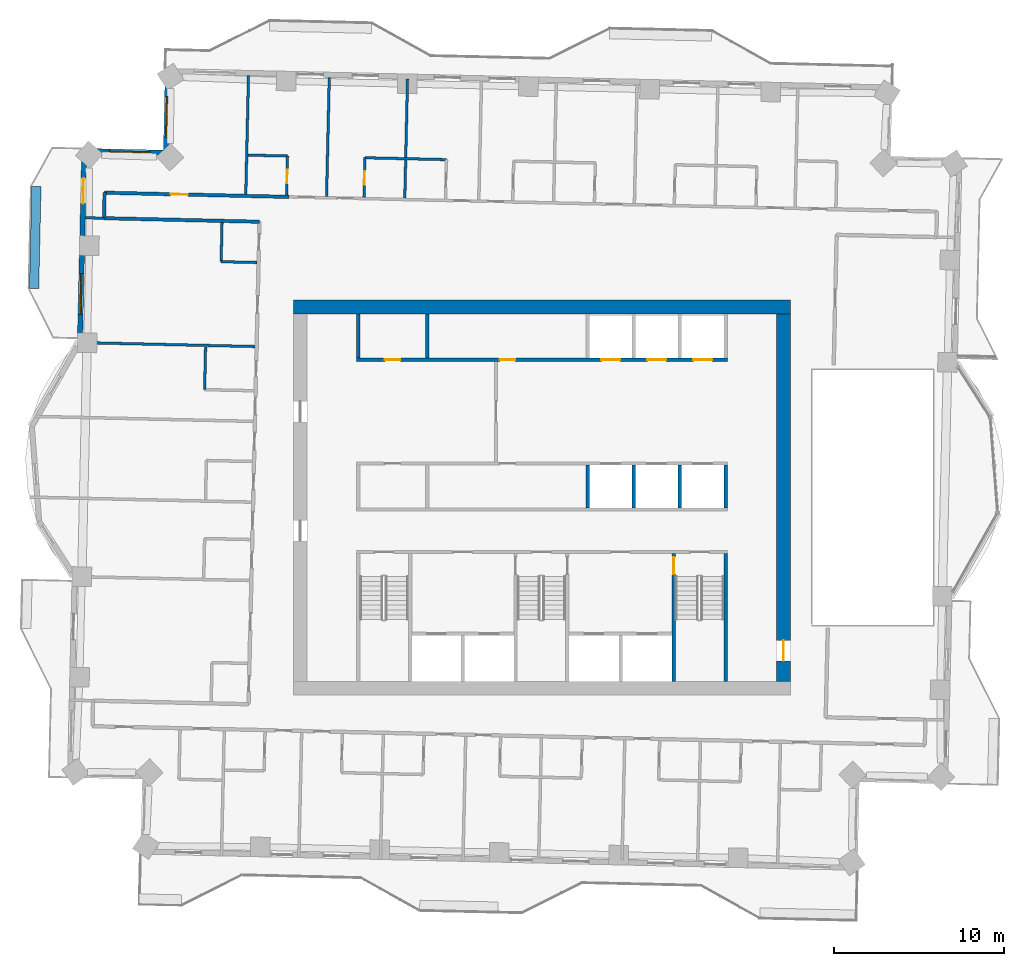
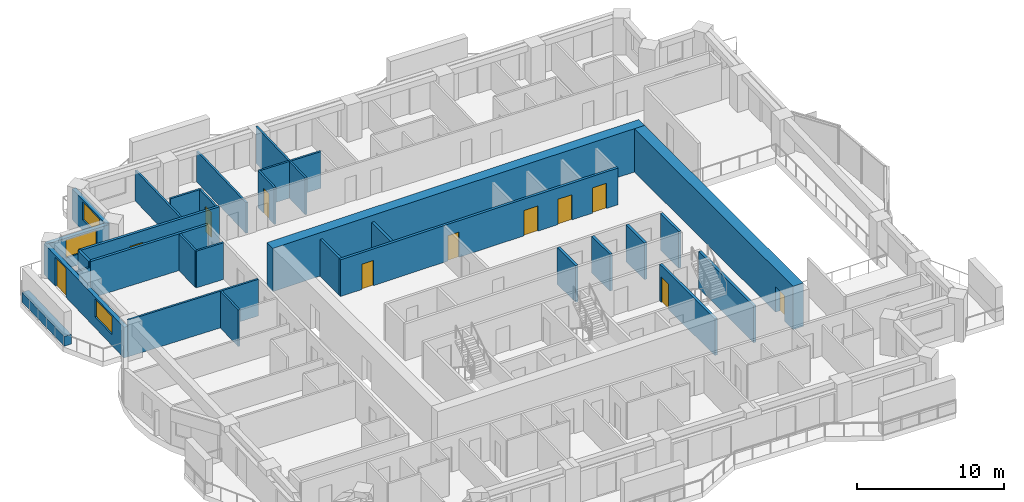
# One storey, part 10 of 16: 30 walls, 11 doors, 3 windows, 14 openings.
"""IFC4 building model written with IfcOpenShell, lengths in metres."""

from ifc_helpers import new_model, si_unit, direction, frame, frame_2d, origin, place, context, subcontext, project, spatial, rectangle, extrude, material, layer, layer_set, type_object, element, fill, save


model = new_model("IFC4")

# Units and contexts
model_context = context("Model", 3, precision=1e-05, world=origin(), true_north=direction((0.0, 1.0)))
body_context = subcontext(model_context, "Body", "Model", "MODEL_VIEW")
ifc_project = project(units=[si_unit("LENGTHUNIT", "METRE"), si_unit("AREAUNIT", "SQUARE_METRE"), si_unit("VOLUMEUNIT", "CUBIC_METRE"), si_unit("PLANEANGLEUNIT", "RADIAN"), si_unit("MASSUNIT", "GRAM", prefix="KILO")], contexts=[model_context])

# Site, building, storey
site_placement = place(None, origin())
site = spatial("IfcSite", under=ifc_project, at=site_placement, CompositionType="ELEMENT")
building_placement = place(site_placement, origin())
building = spatial("IfcBuilding", under=site, at=building_placement, Name="Mangrove Gate Tower", CompositionType="ELEMENT")
storey_placement = place(building_placement, frame((0.0, 0.0, 201.5)))
storey = spatial("IfcBuildingStorey", under=building, at=storey_placement, Name="L51", CompositionType="ELEMENT", Elevation=201.5)

# Walls
ifc_material_1 = material(Name="Concrete C32/40", Category="concrete")
ifc_layer_1 = layer(ifc_material_1, 0.199951171875)
ifc_layer_set_1 = layer_set([ifc_layer_1], Name="Core room wall 200 C32/40")
wall_type_1 = type_object("IfcWallType", Name="Core room wall 200 C32/40", PredefinedType="STANDARD", material=ifc_layer_set_1)
for number, where, z_axis, x_axis, name in (
    (1, (-10.800048828125, 8.199951171875, 0.0), (0.0, 0.0, 1.0), (0.0, 1.0, 0.0), "WALL-L51-CORE-25"),
    (2, (-6.75, 8.199951171875, 0.0), (0.0, 0.0, 1.0), (0.0, 1.0, 0.0), "WALL-L51-CORE-26"),
):
    element("IfcWall", number, at=place(storey_placement, frame(where, z_axis=z_axis, x_axis=x_axis)), inside=storey, type_object=wall_type_1, Name=name, PredefinedType="STANDARD", context=body_context, shape_type="SweptSolid", body=[
        extrude(rectangle(XDim=2.60009765625, YDim=0.199951171875, at=frame_2d((1.300048828125, 0.0))), origin(), (0.0, 0.0, 1.0), 3.050048828125),
    ])

# Wall, openings, doors
ifc_material_2 = material(Name="Concrete C60/75", Category="concrete")
ifc_layer_2 = layer(ifc_material_2, 0.199951171875)
ifc_layer_set_2 = layer_set([ifc_layer_2], Name="Core shaft wall 200 C60/75")
wall_type_2 = type_object("IfcWallType", Name="Core shaft wall 200 C60/75", PredefinedType="SHEAR", material=ifc_layer_set_2)
wall_1_placement = place(storey_placement, frame((-10.89990234375, 8.10009765625, 0.0), z_axis=(0.0, 0.0, 1.0), x_axis=(1.0, 0.0, 0.0)))
wall_1 = element("IfcWall", 3, at=wall_1_placement, inside=storey, type_object=wall_type_2, Name="WALL-L51-CORE-8", PredefinedType="SHEAR", context=body_context, shape_type="SweptSolid", body=[
    extrude(rectangle(XDim=21.7998046875, YDim=0.199951171875, at=frame_2d((10.89990234375, 0.0))), origin(), (0.0, 0.0, 1.0), 3.050048828125),
])
opening_1_placement = place(wall_1_placement, frame((14.39990234375, 0.0, 0.0)))
opening_1 = element("IfcOpeningElement", 4, at=opening_1_placement, cuts=wall_1, Name="Opening LD", PredefinedType="OPENING", context=body_context, shape_type="SweptSolid", body=[
    extrude(rectangle(XDim=1.10009765625, YDim=2.10009765625, at=frame_2d((0.550048828125, 1.050048828125))), frame((0.0, 0.10986328125, 0.0), z_axis=(0.0, -1.0, 0.0), x_axis=(1.0, 0.0, 0.0)), (0.0, 0.0, 1.0), 0.219970703125),
])
opening_2_placement = place(wall_1_placement, frame((17.10009765625, 0.0, 0.0)))
opening_2 = element("IfcOpeningElement", 5, at=opening_2_placement, cuts=wall_1, Name="Opening LD", PredefinedType="OPENING", context=body_context, shape_type="SweptSolid", body=[
    extrude(rectangle(XDim=1.10009765625, YDim=2.10009765625, at=frame_2d((0.550048828125, 1.050048828125))), frame((0.0, 0.10986328125, 0.0), z_axis=(0.0, -1.0, 0.0), x_axis=(1.0, 0.0, 0.0)), (0.0, 0.0, 1.0), 0.219970703125),
])
opening_3_placement = place(wall_1_placement, frame((19.800048828125, 0.0, 0.0)))
opening_3 = element("IfcOpeningElement", 6, at=opening_3_placement, cuts=wall_1, Name="Opening LD", PredefinedType="OPENING", context=body_context, shape_type="SweptSolid", body=[
    extrude(rectangle(XDim=1.10009765625, YDim=2.10009765625, at=frame_2d((0.550048828125, 1.050048828125))), frame((0.0, 0.10986328125, 0.0), z_axis=(0.0, -1.0, 0.0), x_axis=(1.0, 0.0, 0.0)), (0.0, 0.0, 1.0), 0.219970703125),
])
opening_4_placement = place(wall_1_placement, frame((1.675048828125, 0.0, 0.0)))
opening_4 = element("IfcOpeningElement", 7, at=opening_4_placement, cuts=wall_1, Name="Opening KD", PredefinedType="OPENING", context=body_context, shape_type="SweptSolid", body=[
    extrude(rectangle(XDim=0.89990234375, YDim=2.10009765625, at=frame_2d((0.449951171875, 1.050048828125))), frame((0.0, 0.10986328125, 0.0), z_axis=(0.0, -1.0, 0.0), x_axis=(1.0, 0.0, 0.0)), (0.0, 0.0, 1.0), 0.219970703125),
])
opening_5_placement = place(wall_1_placement, frame((8.425048828125, 0.0, 0.0)))
opening_5 = element("IfcOpeningElement", 8, at=opening_5_placement, cuts=wall_1, Name="Opening RD", PredefinedType="OPENING", context=body_context, shape_type="SweptSolid", body=[
    extrude(rectangle(XDim=0.89990234375, YDim=2.10009765625, at=frame_2d((0.449951171875, 1.050048828125))), frame((0.0, 0.10986328125, 0.0), z_axis=(0.0, -1.0, 0.0), x_axis=(1.0, 0.0, 0.0)), (0.0, 0.0, 1.0), 0.219970703125),
])
ifc_material_3 = material(Name="Fire-rated steel door set", Category="steel")
door_type_1 = type_object("IfcDoorType", Name="Core room door FD30S 900x2100", OperationType="SINGLE_SWING_RIGHT", PredefinedType="DOOR", material=ifc_material_3)
door_1_placement = place(opening_4_placement, origin())
door_1 = element("IfcDoor", 9, at=door_1_placement, inside=storey, type_object=door_type_1, Name="Core room door Linen store", OperationType="SINGLE_SWING_RIGHT", OverallHeight=2.10009765625, OverallWidth=0.89990234375, PredefinedType="DOOR", context=body_context, shape_type="SweptSolid", body=[
    extrude(rectangle(XDim=0.89990234375, YDim=2.10009765625, at=frame_2d((0.449951171875, 1.050048828125))), frame((0.0, 0.02490234375, 0.0), z_axis=(0.0, -1.0, 0.0), x_axis=(1.0, 0.0, 0.0)), (0.0, 0.0, 1.0), 0.050048828125),
])
fill(opening_4, door_1)
ifc_material_4 = material(Name="Stainless steel 316", Category="steel")
door_type_2 = type_object("IfcDoorType", Name="Lift landing door 1100x2100", OperationType="SLIDING_TO_LEFT", PredefinedType="DOOR", material=ifc_material_4)
door_2_placement = place(opening_1_placement, origin())
door_2 = element("IfcDoor", 10, at=door_2_placement, inside=storey, type_object=door_type_2, Name="Landing door LD M04", OperationType="SLIDING_TO_LEFT", OverallHeight=2.10009765625, OverallWidth=1.10009765625, PredefinedType="DOOR", context=body_context, shape_type="SweptSolid", body=[
    extrude(rectangle(XDim=1.10009765625, YDim=2.10009765625, at=frame_2d((0.550048828125, 1.050048828125))), frame((0.0, 0.02490234375, 0.0), z_axis=(0.0, -1.0, 0.0), x_axis=(1.0, 0.0, 0.0)), (0.0, 0.0, 1.0), 0.050048828125),
])
fill(opening_1, door_2)
door_3_placement = place(opening_2_placement, origin())
door_3 = element("IfcDoor", 11, at=door_3_placement, inside=storey, type_object=door_type_2, Name="Landing door LD M05", OperationType="SLIDING_TO_LEFT", OverallHeight=2.10009765625, OverallWidth=1.10009765625, PredefinedType="DOOR", context=body_context, shape_type="SweptSolid", body=[
    extrude(rectangle(XDim=1.10009765625, YDim=2.10009765625, at=frame_2d((0.550048828125, 1.050048828125))), frame((0.0, 0.02490234375, 0.0), z_axis=(0.0, -1.0, 0.0), x_axis=(1.0, 0.0, 0.0)), (0.0, 0.0, 1.0), 0.050048828125),
])
fill(opening_2, door_3)
door_4_placement = place(opening_3_placement, origin())
door_4 = element("IfcDoor", 12, at=door_4_placement, inside=storey, type_object=door_type_2, Name="Landing door LD M06", OperationType="SLIDING_TO_LEFT", OverallHeight=2.10009765625, OverallWidth=1.10009765625, PredefinedType="DOOR", context=body_context, shape_type="SweptSolid", body=[
    extrude(rectangle(XDim=1.10009765625, YDim=2.10009765625, at=frame_2d((0.550048828125, 1.050048828125))), frame((0.0, 0.02490234375, 0.0), z_axis=(0.0, -1.0, 0.0), x_axis=(1.0, 0.0, 0.0)), (0.0, 0.0, 1.0), 0.050048828125),
])
fill(opening_3, door_4)
ifc_material_5 = material(Name="Fire-rated steel door set", Category="steel")
door_type_3 = type_object("IfcDoorType", Name="Riser door FD30S 900x2100", OperationType="SINGLE_SWING_LEFT", PredefinedType="DOOR", material=ifc_material_5)
door_5_placement = place(opening_5_placement, origin())
door_5 = element("IfcDoor", 13, at=door_5_placement, inside=storey, type_object=door_type_3, Name="Riser door Switch room", OperationType="SINGLE_SWING_LEFT", OverallHeight=2.10009765625, OverallWidth=0.89990234375, PredefinedType="DOOR", context=body_context, shape_type="SweptSolid", body=[
    extrude(rectangle(XDim=0.89990234375, YDim=2.10009765625, at=frame_2d((0.449951171875, 1.050048828125))), frame((0.0, 0.02490234375, 0.0), z_axis=(0.0, -1.0, 0.0), x_axis=(1.0, 0.0, 0.0)), (0.0, 0.0, 1.0), 0.050048828125),
])
fill(opening_5, door_5)

# Walls
for number, where, z_axis, x_axis, name in (
    (14, (2.699951171875, -0.60009765625, 0.0), (0.0, 0.0, 1.0), (0.0, 1.0, 0.0), "WALL-L51-CORE-21"),
    (15, (5.39990234375, -0.60009765625, 0.0), (0.0, 0.0, 1.0), (0.0, 1.0, 0.0), "WALL-L51-CORE-22"),
    (16, (8.10009765625, -0.60009765625, 0.0), (0.0, 0.0, 1.0), (0.0, 1.0, 0.0), "WALL-L51-CORE-23"),
    (17, (10.800048828125, -0.60009765625, 0.0), (0.0, 0.0, 1.0), (0.0, 1.0, 0.0), "WALL-L51-CORE-24"),
):
    element("IfcWall", number, at=place(storey_placement, frame(where, z_axis=z_axis, x_axis=x_axis)), inside=storey, type_object=wall_type_2, Name=name, PredefinedType="SHEAR", context=body_context, shape_type="SweptSolid", body=[
        extrude(rectangle(XDim=2.5, YDim=0.199951171875, at=frame_2d((1.25, 0.0))), origin(), (0.0, 0.0, 1.0), 3.050048828125),
    ])

# Wall, opening, door
ifc_material_6 = material(Name="Concrete C60/75", Category="concrete")
ifc_layer_3 = layer(ifc_material_6, 0.199951171875)
ifc_layer_set_3 = layer_set([ifc_layer_3], Name="Core stair wall 200 C60/75")
wall_type_3 = type_object("IfcWallType", Name="Core stair wall 200 C60/75", PredefinedType="SHEAR", material=ifc_layer_set_3)
wall_2_placement = place(storey_placement, frame((7.75, -10.800048828125, 0.0), z_axis=(0.0, 0.0, 1.0), x_axis=(0.0, 1.0, 0.0)))
wall_2 = element("IfcWall", 18, at=wall_2_placement, inside=storey, type_object=wall_type_3, Name="WALL-L51-CORE-13", PredefinedType="SHEAR", context=body_context, shape_type="SweptSolid", body=[
    extrude(rectangle(XDim=7.5, YDim=0.199951171875, at=frame_2d((3.75, 0.0))), origin(), (0.0, 0.0, 1.0), 3.050048828125),
])
opening_6_placement = place(wall_2_placement, frame((6.300048828125, 0.0, 0.0)))
opening_6 = element("IfcOpeningElement", 19, at=opening_6_placement, cuts=wall_2, Name="Opening STD10", PredefinedType="OPENING", context=body_context, shape_type="SweptSolid", body=[
    extrude(rectangle(XDim=1.0, YDim=2.10009765625, at=frame_2d((0.5, 1.050048828125))), frame((0.0, 0.10986328125, 0.0), z_axis=(0.0, -1.0, 0.0), x_axis=(1.0, 0.0, 0.0)), (0.0, 0.0, 1.0), 0.219970703125),
])
ifc_material_7 = material(Name="Fire-rated steel door set", Category="steel")
door_type_4 = type_object("IfcDoorType", Name="Stair door FD60 1000x2100", OperationType="SINGLE_SWING_RIGHT", PredefinedType="DOOR", material=ifc_material_7)
door_6_placement = place(opening_6_placement, origin())
door_6 = element("IfcDoor", 20, at=door_6_placement, inside=storey, type_object=door_type_4, Name="Stair door Stair 3 from fire-fighting lobby", OperationType="SINGLE_SWING_RIGHT", OverallHeight=2.10009765625, OverallWidth=1.0, PredefinedType="DOOR", context=body_context, shape_type="SweptSolid", body=[
    extrude(rectangle(XDim=1.0, YDim=2.10009765625, at=frame_2d((0.5, 1.050048828125))), frame((0.0, 0.02490234375, 0.0), z_axis=(0.0, -1.0, 0.0), x_axis=(1.0, 0.0, 0.0)), (0.0, 0.0, 1.0), 0.050048828125),
])
fill(opening_6, door_6)

# Walls
wall_3_placement = place(storey_placement, frame((10.800048828125, -10.800048828125, 0.0), z_axis=(0.0, 0.0, 1.0), x_axis=(0.0, 1.0, 0.0)))
element("IfcWall", 21, at=wall_3_placement, inside=storey, type_object=wall_type_3, Name="WALL-L51-CORE-14", PredefinedType="SHEAR", context=body_context, shape_type="SweptSolid", body=[
    extrude(rectangle(XDim=7.5, YDim=0.199951171875, at=frame_2d((3.75, 0.0))), origin(), (0.0, 0.0, 1.0), 3.050048828125),
])
ifc_material_8 = material(Name="Concrete C60/75", Category="concrete")
ifc_layer_4 = layer(ifc_material_8, 0.800048828125)
ifc_layer_set_4 = layer_set([ifc_layer_4], Name="Core wall 800 C60/75")
wall_type_4 = type_object("IfcWallType", Name="Core wall 800 C60/75", PredefinedType="SHEAR", material=ifc_layer_set_4)
wall_4_placement = place(storey_placement, frame((-14.60009765625, 11.199951171875, 0.0), z_axis=(0.0, 0.0, 1.0), x_axis=(1.0, 0.0, 0.0)))
element("IfcWall", 22, at=wall_4_placement, inside=storey, type_object=wall_type_4, Name="WALL-L51-CORE-2", PredefinedType="SHEAR", context=body_context, shape_type="SweptSolid", body=[
    extrude(rectangle(XDim=29.2001953125, YDim=0.800048828125, at=frame_2d((14.60009765625, 0.0))), origin(), (0.0, 0.0, 1.0), 3.60009765625),
])

# Wall, opening, door
wall_5_placement = place(storey_placement, frame((14.199951171875, -10.800048828125, 0.0), z_axis=(0.0, 0.0, 1.0), x_axis=(0.0, 1.0, 0.0)))
wall_5 = element("IfcWall", 23, at=wall_5_placement, inside=storey, type_object=wall_type_4, Name="WALL-L51-CORE-4", PredefinedType="SHEAR", context=body_context, shape_type="SweptSolid", body=[
    extrude(rectangle(XDim=21.60009765625, YDim=0.800048828125, at=frame_2d((10.800048828125, 0.0))), origin(), (0.0, 0.0, 1.0), 3.60009765625),
])
opening_7_placement = place(wall_5_placement, frame((1.199951171875, 0.0, 0.0)))
opening_7 = element("IfcOpeningElement", 24, at=opening_7_placement, cuts=wall_5, Name="Opening CD", PredefinedType="OPENING", context=body_context, shape_type="SweptSolid", body=[
    extrude(rectangle(XDim=1.199951171875, YDim=2.10009765625, at=frame_2d((0.60009765625, 1.050048828125))), frame((0.0, 0.409912109375, 0.0), z_axis=(0.0, -1.0, 0.0), x_axis=(1.0, 0.0, 0.0)), (0.0, 0.0, 1.0), 0.820068359375),
])
ifc_material_9 = material(Name="Fire-rated steel door set", Category="steel")
door_type_5 = type_object("IfcDoorType", Name="Core ring door FD60 1200x2100", OperationType="DOUBLE_DOOR_SINGLE_SWING", PredefinedType="DOOR", material=ifc_material_9)
door_7_placement = place(opening_7_placement, origin())
door_7 = element("IfcDoor", 25, at=door_7_placement, inside=storey, type_object=door_type_5, Name="Core ring door E1", OperationType="DOUBLE_DOOR_SINGLE_SWING", OverallHeight=2.10009765625, OverallWidth=1.199951171875, PredefinedType="DOOR", context=body_context, shape_type="SweptSolid", body=[
    extrude(rectangle(XDim=1.199951171875, YDim=2.10009765625, at=frame_2d((0.60009765625, 1.050048828125))), frame((0.0, 0.02490234375, 0.0), z_axis=(0.0, -1.0, 0.0), x_axis=(1.0, 0.0, 0.0)), (0.0, 0.0, 1.0), 0.050048828125),
])
fill(opening_7, door_7)

# Walls
ifc_material_10 = material(Name="Gypsum board on steel stud, EI 60", Category="steel")
ifc_layer_5 = layer(ifc_material_10, 0.199951171875)
ifc_layer_set_5 = layer_set([ifc_layer_5], Name="Corridor wall EI 60")
wall_type_5 = type_object("IfcWallType", Name="Corridor wall EI 60", PredefinedType="PARTITIONING", material=ifc_layer_set_5)
wall_6_placement = place(storey_placement, frame((-25.742919921875, 16.422119140625, 0.0), z_axis=(0.0, 0.0, 1.0), x_axis=(0.999741076645, -0.022754772455, 0.0)))
element("IfcWall", 26, at=wall_6_placement, inside=storey, type_object=wall_type_5, Name="WALL-L51-049", PredefinedType="PARTITIONING", context=body_context, shape_type="SweptSolid", body=[
    extrude(rectangle(XDim=9.141357421875, YDim=0.199951171875, at=frame_2d((4.57080078125, 0.0))), origin(), (0.0, 0.0, 1.0), 3.050048828125),
])
wall_7_placement = place(storey_placement, frame((-25.740966796875, 16.425048828125, 0.0), z_axis=(0.0, 0.0, 1.0), x_axis=(0.022617910375, 0.999744182344, 0.0)))
element("IfcWall", 27, at=wall_7_placement, inside=storey, type_object=wall_type_5, Name="WALL-L51-052", PredefinedType="PARTITIONING", context=body_context, shape_type="SweptSolid", body=[
    extrude(rectangle(XDim=1.50048828125, YDim=0.199951171875, at=frame_2d((0.750244140625, 0.0))), origin(), (0.0, 0.0, 1.0), 3.050048828125),
])

# Wall, opening, door
wall_8_placement = place(storey_placement, frame((-25.708984375, 17.9208984375, 0.0), z_axis=(0.0, 0.0, 1.0), x_axis=(0.999742764922, -0.022680475901, 0.0)))
wall_8 = element("IfcWall", 28, at=wall_8_placement, inside=storey, type_object=wall_type_5, Name="WALL-L51-054", PredefinedType="PARTITIONING", context=body_context, shape_type="SweptSolid", body=[
    extrude(rectangle(XDim=10.839599609375, YDim=0.199951171875, at=frame_2d((5.419921875, 0.0))), origin(), (0.0, 0.0, 1.0), 3.050048828125),
])
opening_8_placement = place(wall_8_placement, frame((3.89306640625, 0.0, 0.0)))
opening_8 = element("IfcOpeningElement", 29, at=opening_8_placement, cuts=wall_8, Name="Opening AD", PredefinedType="OPENING", context=body_context, shape_type="SweptSolid", body=[
    extrude(rectangle(XDim=1.0, YDim=2.10009765625, at=frame_2d((0.5, 1.050048828125))), frame((0.0, 0.10986328125, 0.0), z_axis=(0.0, -1.0, 0.0), x_axis=(1.0, 0.0, 0.0)), (0.0, 0.0, 1.0), 0.219970703125),
])
ifc_material_11 = material(Name="Timber door leaf", Category="wood")
door_type_6 = type_object("IfcDoorType", Name="Amenity door 1000", OperationType="SINGLE_SWING_LEFT", PredefinedType="DOOR", material=ifc_material_11)
door_8_placement = place(opening_8_placement, origin())
door_8 = element("IfcDoor", 30, at=door_8_placement, inside=storey, type_object=door_type_6, Name="DOOR-L51-GAM-c5a", OperationType="SINGLE_SWING_RIGHT", OverallHeight=2.10009765625, OverallWidth=1.0, PredefinedType="DOOR", context=body_context, shape_type="SweptSolid", body=[
    extrude(rectangle(XDim=1.0, YDim=2.10009765625, at=frame_2d((0.5, 1.050048828125))), frame((0.0, 0.02490234375, 0.0), z_axis=(0.0, -1.0, 0.0), x_axis=(1.0, 0.0, 0.0)), (0.0, 0.0, 1.0), 0.050048828125),
])
fill(opening_8, door_8)

# Wall, opening, window
ifc_material_12 = material(Name="Limestone", Category="masonry")
ifc_layer_6 = layer(ifc_material_12, 0.0400390625, Name="Limestone cladding")
ifc_material_13 = material(Name="Ventilated air gap")
ifc_layer_7 = layer(ifc_material_13, 0.0400390625, Name="Ventilated cavity")
ifc_material_14 = material(Name="Mineral wool insulation")
ifc_layer_8 = layer(ifc_material_14, 0.06005859375, Name="Insulation")
ifc_material_15 = material(Name="Breather membrane")
ifc_layer_9 = layer(ifc_material_15, 0.001953125, Name="Breather membrane")
ifc_material_16 = material(Name="Concrete C20/25 blockwork", Category="masonry")
ifc_layer_10 = layer(ifc_material_16, 0.14990234375, Name="Blockwork backing wall")
ifc_material_17 = material(Name="Gypsum plaster")
ifc_layer_11 = layer(ifc_material_17, 0.008056640625, Name="Internal plaster")
ifc_layer_set_6 = layer_set([ifc_layer_6, ifc_layer_7, ifc_layer_8, ifc_layer_9, ifc_layer_10, ifc_layer_11], Name="External wall 300 limestone cladding")
wall_type_6 = type_object("IfcWallType", Name="External wall 300 limestone cladding", PredefinedType="SOLIDWALL", material=ifc_layer_set_6)
wall_9_placement = place(storey_placement, frame((-21.99609375, 25.069091796875, 0.0), z_axis=(0.0, 0.0, 1.0), x_axis=(-0.022683280499, -0.999742701292, 0.0)))
wall_9 = element("IfcWall", 31, at=wall_9_placement, inside=storey, type_object=wall_type_6, Name="WALL-L51-W6", PredefinedType="SOLIDWALL", context=body_context, shape_type="SweptSolid", body=[
    extrude(rectangle(XDim=4.80029296875, YDim=0.300048828125, at=frame_2d((2.400146484375, 0.0))), origin(), (0.0, 0.0, 1.0), 2.550048828125),
])
opening_9_placement = place(wall_9_placement, frame((1.48388671875, 0.0, 0.89990234375)))
opening_9 = element("IfcOpeningElement", 32, at=opening_9_placement, cuts=wall_9, Name="Opening W2", PredefinedType="OPENING", context=body_context, shape_type="SweptSolid", body=[
    extrude(rectangle(XDim=2.39990234375, YDim=1.5, at=frame_2d((1.199951171875, 0.75))), frame((0.0, 0.159912109375, 0.0), z_axis=(0.0, -1.0, 0.0), x_axis=(1.0, 0.0, 0.0)), (0.0, 0.0, 1.0), 0.320068359375),
])
ifc_material_18 = material(Name="Aluminium frame with double-glazed low-e glass", Category="aluminium")
window_type = type_object("IfcWindowType", Name="Corner room window 2400x1500", PartitioningType="DOUBLE_PANEL_VERTICAL", PredefinedType="WINDOW", material=ifc_material_18)
window_1_placement = place(opening_9_placement, origin())
window_1 = element("IfcWindow", 33, at=window_1_placement, inside=storey, type_object=window_type, Name="WIN-L51-W6-1", OverallHeight=1.5, OverallWidth=2.39990234375, PartitioningType="DOUBLE_PANEL_VERTICAL", PredefinedType="WINDOW", context=body_context, shape_type="SweptSolid", body=[
    extrude(rectangle(XDim=2.39990234375, YDim=1.5, at=frame_2d((1.199951171875, 0.75))), frame((0.0, 0.030029296875, 0.0), z_axis=(0.0, -1.0, 0.0), x_axis=(1.0, 0.0, 0.0)), (0.0, 0.0, 1.0), 0.06005859375),
])
fill(opening_9, window_1)

wall_10_placement = place(storey_placement, frame((-22.10498046875, 20.27001953125, 0.0), z_axis=(0.0, 0.0, 1.0), x_axis=(-0.999742701292, 0.022683280499, 0.0)))
wall_10 = element("IfcWall", 34, at=wall_10_placement, inside=storey, type_object=wall_type_6, Name="WALL-L51-N7", PredefinedType="SOLIDWALL", context=body_context, shape_type="SweptSolid", body=[
    extrude(rectangle(XDim=4.80029296875, YDim=0.300048828125, at=frame_2d((2.400146484375, 0.0))), origin(), (0.0, 0.0, 1.0), 2.550048828125),
])
opening_10_placement = place(wall_10_placement, frame((0.927978515625, 0.0, 0.89990234375)))
opening_10 = element("IfcOpeningElement", 35, at=opening_10_placement, cuts=wall_10, Name="Opening W2", PredefinedType="OPENING", context=body_context, shape_type="SweptSolid", body=[
    extrude(rectangle(XDim=2.39990234375, YDim=1.5, at=frame_2d((1.199951171875, 0.75))), frame((0.0, 0.159912109375, 0.0), z_axis=(0.0, -1.0, 0.0), x_axis=(1.0, 0.0, 0.0)), (0.0, 0.0, 1.0), 0.320068359375),
])
window_2_placement = place(opening_10_placement, origin())
window_2 = element("IfcWindow", 36, at=window_2_placement, inside=storey, type_object=window_type, Name="WIN-L51-N7-1", OverallHeight=1.5, OverallWidth=2.39990234375, PartitioningType="DOUBLE_PANEL_VERTICAL", PredefinedType="WINDOW", context=body_context, shape_type="SweptSolid", body=[
    extrude(rectangle(XDim=2.39990234375, YDim=1.5, at=frame_2d((1.199951171875, 0.75))), frame((0.0, 0.030029296875, 0.0), z_axis=(0.0, -1.0, 0.0), x_axis=(1.0, 0.0, 0.0)), (0.0, 0.0, 1.0), 0.06005859375),
])
fill(opening_10, window_2)

# Wall, openings, door, window
wall_11_placement = place(storey_placement, frame((-26.904052734375, 20.37890625, 0.0), z_axis=(0.0, 0.0, 1.0), x_axis=(-0.022669030322, -0.999743024514, 0.0)))
wall_11 = element("IfcWall", 37, at=wall_11_placement, inside=storey, type_object=wall_type_6, Name="WALL-L51-W8", PredefinedType="SOLIDWALL", context=body_context, shape_type="SweptSolid", body=[
    extrude(rectangle(XDim=11.329833984375, YDim=0.300048828125, at=frame_2d((5.6650390625, 0.0))), origin(), (0.0, 0.0, 1.0), 2.550048828125),
])
opening_11_placement = place(wall_11_placement, frame((1.60302734375, 0.0, 0.0)))
opening_11 = element("IfcOpeningElement", 38, at=opening_11_placement, cuts=wall_11, Name="Opening BD1", PredefinedType="OPENING", context=body_context, shape_type="SweptSolid", body=[
    extrude(rectangle(XDim=1.5, YDim=2.39990234375, at=frame_2d((0.75, 1.199951171875))), frame((0.0, 0.159912109375, 0.0), z_axis=(0.0, -1.0, 0.0), x_axis=(1.0, 0.0, 0.0)), (0.0, 0.0, 1.0), 0.320068359375),
])
opening_12_placement = place(wall_11_placement, frame((7.218017578125, 0.0, 0.89990234375)))
opening_12 = element("IfcOpeningElement", 39, at=opening_12_placement, cuts=wall_11, Name="Opening W2", PredefinedType="OPENING", context=body_context, shape_type="SweptSolid", body=[
    extrude(rectangle(XDim=2.39990234375, YDim=1.5, at=frame_2d((1.199951171875, 0.75))), frame((0.0, 0.159912109375, 0.0), z_axis=(0.0, -1.0, 0.0), x_axis=(1.0, 0.0, 0.0)), (0.0, 0.0, 1.0), 0.320068359375),
])
ifc_material_19 = material(Name="Aluminium frame with laminated clear glass", Category="aluminium")
door_type_7 = type_object("IfcDoorType", Name="Balcony sliding door 1500x2400", OperationType="SLIDING_TO_LEFT", PredefinedType="DOOR", material=ifc_material_19)
door_9_placement = place(opening_11_placement, origin())
door_9 = element("IfcDoor", 40, at=door_9_placement, inside=storey, type_object=door_type_7, Name="DOOR-L51-W8-1", OperationType="SLIDING_TO_LEFT", OverallHeight=2.39990234375, OverallWidth=1.5, PredefinedType="DOOR", context=body_context, shape_type="SweptSolid", body=[
    extrude(rectangle(XDim=1.5, YDim=2.39990234375, at=frame_2d((0.75, 1.199951171875))), frame((0.0, 0.02490234375, 0.0), z_axis=(0.0, -1.0, 0.0), x_axis=(1.0, 0.0, 0.0)), (0.0, 0.0, 1.0), 0.050048828125),
])
fill(opening_11, door_9)
window_3_placement = place(opening_12_placement, origin())
window_3 = element("IfcWindow", 41, at=window_3_placement, inside=storey, type_object=window_type, Name="WIN-L51-W8-2", OverallHeight=1.5, OverallWidth=2.39990234375, PartitioningType="DOUBLE_PANEL_VERTICAL", PredefinedType="WINDOW", context=body_context, shape_type="SweptSolid", body=[
    extrude(rectangle(XDim=2.39990234375, YDim=1.5, at=frame_2d((1.199951171875, 0.75))), frame((0.0, 0.030029296875, 0.0), z_axis=(0.0, -1.0, 0.0), x_axis=(1.0, 0.0, 0.0)), (0.0, 0.0, 1.0), 0.06005859375),
])
fill(opening_12, window_3)

# Walls
ifc_material_20 = material(Name="Gypsum board on steel stud, EI 60", Category="steel")
ifc_layer_12 = layer(ifc_material_20, 0.14990234375)
ifc_layer_set_7 = layer_set([ifc_layer_12], Name="Party wall 150 EI 60")
wall_type_7 = type_object("IfcWallType", Name="Party wall 150 EI 60", PredefinedType="PARTITIONING", material=ifc_layer_set_7)
wall_12_placement = place(storey_placement, frame((-19.827880859375, 6.340087890625, 0.0), z_axis=(0.0, 0.0, 1.0), x_axis=(0.022532486354, 0.9997461113, 0.0)))
element("IfcWall", 42, at=wall_12_placement, inside=storey, type_object=wall_type_7, Name="WALL-L51-042", PredefinedType="PARTITIONING", context=body_context, shape_type="SweptSolid", body=[
    extrude(rectangle(XDim=2.524658203125, YDim=0.14990234375, at=frame_2d((1.26220703125, 0.0))), origin(), (0.0, 0.0, 1.0), 3.050048828125),
])
wall_13_placement = place(storey_placement, frame((-27.010009765625, 9.10791015625, 0.0), z_axis=(0.0, 0.0, 1.0), x_axis=(0.999742841246, -0.022677111331, 0.0)))
element("IfcWall", 43, at=wall_13_placement, inside=storey, type_object=wall_type_7, Name="WALL-L51-045", PredefinedType="PARTITIONING", context=body_context, shape_type="SweptSolid", body=[
    extrude(rectangle(XDim=10.1416015625, YDim=0.14990234375, at=frame_2d((5.07080078125, 0.0))), origin(), (0.0, 0.0, 1.0), 3.050048828125),
])
wall_14_placement = place(storey_placement, frame((-18.85791015625, 13.864990234375, 0.0), z_axis=(0.0, 0.0, 1.0), x_axis=(0.999737555419, -0.022908956429, 0.0)))
element("IfcWall", 44, at=wall_14_placement, inside=storey, type_object=wall_type_7, Name="WALL-L51-046", PredefinedType="PARTITIONING", context=body_context, shape_type="SweptSolid", body=[
    extrude(rectangle(XDim=2.099365234375, YDim=0.14990234375, at=frame_2d((1.0498046875, 0.0))), origin(), (0.0, 0.0, 1.0), 3.050048828125),
])
wall_15_placement = place(storey_placement, frame((-18.85693359375, 13.868896484375, 0.0), z_axis=(0.0, 0.0, 1.0), x_axis=(0.022612884682, 0.999744296031, 0.0)))
element("IfcWall", 45, at=wall_15_placement, inside=storey, type_object=wall_type_7, Name="WALL-L51-047", PredefinedType="PARTITIONING", context=body_context, shape_type="SweptSolid", body=[
    extrude(rectangle(XDim=2.299560546875, YDim=0.14990234375, at=frame_2d((1.14990234375, 0.0))), origin(), (0.0, 0.0, 1.0), 3.050048828125),
])
wall_16_placement = place(storey_placement, frame((-26.843017578125, 16.447021484375, 0.0), z_axis=(0.0, 0.0, 1.0), x_axis=(0.999720170098, -0.023655475055, 0.0)))
element("IfcWall", 46, at=wall_16_placement, inside=storey, type_object=wall_type_7, Name="WALL-L51-048", PredefinedType="PARTITIONING", context=body_context, shape_type="SweptSolid", body=[
    extrude(rectangle(XDim=1.104248046875, YDim=0.14990234375, at=frame_2d((0.55224609375, 0.0))), origin(), (0.0, 0.0, 1.0), 2.550048828125),
])
wall_17_placement = place(storey_placement, frame((-17.406982421875, 17.8369140625, 0.0), z_axis=(0.0, 0.0, 1.0), x_axis=(0.022643496158, 0.999743603171, 0.0)))
element("IfcWall", 47, at=wall_17_placement, inside=storey, type_object=wall_type_7, Name="WALL-L51-057", PredefinedType="PARTITIONING", context=body_context, shape_type="SweptSolid", body=[
    extrude(rectangle(XDim=6.975830078125, YDim=0.14990234375, at=frame_2d((3.48779296875, 0.0))), origin(), (0.0, 0.0, 1.0), 2.550048828125),
])

# Wall, opening, door
wall_18_placement = place(storey_placement, frame((-15.007080078125, 17.781982421875, 0.0), z_axis=(0.0, 0.0, 1.0), x_axis=(0.022603288534, 0.999744513037, 0.0)))
wall_18 = element("IfcWall", 48, at=wall_18_placement, inside=storey, type_object=wall_type_7, Name="WALL-L51-058", PredefinedType="PARTITIONING", context=body_context, shape_type="SweptSolid", body=[
    extrude(rectangle(XDim=2.300537109375, YDim=0.14990234375, at=frame_2d((1.150390625, 0.0))), origin(), (0.0, 0.0, 1.0), 3.050048828125),
])
opening_13_placement = place(wall_18_placement, frame((0.699951171875, 0.0, 0.0)))
opening_13 = element("IfcOpeningElement", 49, at=opening_13_placement, cuts=wall_18, Name="Opening ED", PredefinedType="OPENING", context=body_context, shape_type="SweptSolid", body=[
    extrude(rectangle(XDim=0.800048828125, YDim=2.10009765625, at=frame_2d((0.39990234375, 1.050048828125))), frame((0.0, 0.0849609375, 0.0), z_axis=(0.0, -1.0, 0.0), x_axis=(1.0, 0.0, 0.0)), (0.0, 0.0, 1.0), 0.169921875),
])
ifc_material_21 = material(Name="Timber door leaf", Category="wood")
door_type_8 = type_object("IfcDoorType", Name="En-suite door 800", OperationType="SINGLE_SWING_LEFT", PredefinedType="DOOR", material=ifc_material_21)
door_10_placement = place(opening_13_placement, origin())
door_10 = element("IfcDoor", 50, at=door_10_placement, inside=storey, type_object=door_type_8, Name="DOOR-L51-ENS-c514", OperationType="SINGLE_SWING_RIGHT", OverallHeight=2.10009765625, OverallWidth=0.800048828125, PredefinedType="DOOR", context=body_context, shape_type="SweptSolid", body=[
    extrude(rectangle(XDim=0.800048828125, YDim=2.10009765625, at=frame_2d((0.39990234375, 1.050048828125))), frame((0.0, 0.02490234375, 0.0), z_axis=(0.0, -1.0, 0.0), x_axis=(1.0, 0.0, 0.0)), (0.0, 0.0, 1.0), 0.050048828125),
])
fill(opening_13, door_10)

# Wall
wall_19_placement = place(storey_placement, frame((-12.658935546875, 17.7041015625, 0.0), z_axis=(0.0, 0.0, 1.0), x_axis=(0.022703185001, 0.999742249478, 0.0)))
element("IfcWall", 51, at=wall_19_placement, inside=storey, type_object=wall_type_7, Name="WALL-L51-059", PredefinedType="PARTITIONING", context=body_context, shape_type="SweptSolid", body=[
    extrude(rectangle(XDim=7.00048828125, YDim=0.14990234375, at=frame_2d((3.500244140625, 0.0))), origin(), (0.0, 0.0, 1.0), 2.550048828125),
])

# Wall, opening, door
wall_20_placement = place(storey_placement, frame((-10.458984375, 17.654052734375, 0.0), z_axis=(0.0, 0.0, 1.0), x_axis=(0.022781023197, 0.999740478815, 0.0)))
wall_20 = element("IfcWall", 52, at=wall_20_placement, inside=storey, type_object=wall_type_7, Name="WALL-L51-060", PredefinedType="PARTITIONING", context=body_context, shape_type="SweptSolid", body=[
    extrude(rectangle(XDim=2.325439453125, YDim=0.14990234375, at=frame_2d((1.16259765625, 0.0))), origin(), (0.0, 0.0, 1.0), 3.050048828125),
])
opening_14_placement = place(wall_20_placement, frame((0.72509765625, 0.0, 0.0)))
opening_14 = element("IfcOpeningElement", 53, at=opening_14_placement, cuts=wall_20, Name="Opening ED", PredefinedType="OPENING", context=body_context, shape_type="SweptSolid", body=[
    extrude(rectangle(XDim=0.800048828125, YDim=2.10009765625, at=frame_2d((0.39990234375, 1.050048828125))), frame((0.0, 0.0849609375, 0.0), z_axis=(0.0, -1.0, 0.0), x_axis=(1.0, 0.0, 0.0)), (0.0, 0.0, 1.0), 0.169921875),
])
door_11_placement = place(opening_14_placement, origin())
door_11 = element("IfcDoor", 54, at=door_11_placement, inside=storey, type_object=door_type_8, Name="DOOR-L51-ENS-c513", OperationType="SINGLE_SWING_LEFT", OverallHeight=2.10009765625, OverallWidth=0.800048828125, PredefinedType="DOOR", context=body_context, shape_type="SweptSolid", body=[
    extrude(rectangle(XDim=0.800048828125, YDim=2.10009765625, at=frame_2d((0.39990234375, 1.050048828125))), frame((0.0, 0.02490234375, 0.0), z_axis=(0.0, -1.0, 0.0), x_axis=(1.0, 0.0, 0.0)), (0.0, 0.0, 1.0), 0.050048828125),
])
fill(opening_14, door_11)

# Walls
wall_21_placement = place(storey_placement, frame((-8.06005859375, 17.60009765625, 0.0), z_axis=(0.0, 0.0, 1.0), x_axis=(0.022737248567, 0.999741475346, 0.0)))
element("IfcWall", 55, at=wall_21_placement, inside=storey, type_object=wall_type_7, Name="WALL-L51-061", PredefinedType="PARTITIONING", context=body_context, shape_type="SweptSolid", body=[
    extrude(rectangle(XDim=7.000732421875, YDim=0.14990234375, at=frame_2d((3.50048828125, 0.0))), origin(), (0.0, 0.0, 1.0), 3.050048828125),
])
wall_22_placement = place(storey_placement, frame((-17.281982421875, 20.131103515625, 0.0), z_axis=(0.0, 0.0, 1.0), x_axis=(0.999738082346, -0.022885950011, 0.0)))
element("IfcWall", 56, at=wall_22_placement, inside=storey, type_object=wall_type_7, Name="WALL-L51-073", PredefinedType="PARTITIONING", context=body_context, shape_type="SweptSolid", body=[
    extrude(rectangle(XDim=2.325439453125, YDim=0.14990234375, at=frame_2d((1.16259765625, 0.0))), origin(), (0.0, 0.0, 1.0), 3.050048828125),
])
wall_23_placement = place(storey_placement, frame((-10.408935546875, 19.97509765625, 0.0), z_axis=(0.0, 0.0, 1.0), x_axis=(0.999741520352, -0.022735269617, 0.0)))
element("IfcWall", 57, at=wall_23_placement, inside=storey, type_object=wall_type_7, Name="WALL-L51-074", PredefinedType="PARTITIONING", context=body_context, shape_type="SweptSolid", body=[
    extrude(rectangle(XDim=4.800048828125, YDim=0.14990234375, at=frame_2d((2.39990234375, 0.0))), origin(), (0.0, 0.0, 1.0), 3.050048828125),
])
ifc_material_22 = material(Name="Concrete C32/40", Category="concrete")
ifc_layer_13 = layer(ifc_material_22, 0.199951171875, Name="Planter trough wall")
ifc_material_23 = material(Name="Bituminous waterproofing membrane")
ifc_layer_14 = layer(ifc_material_23, 0.0048828125, Name="Waterproofing")
ifc_material_24 = material(Name="Drainage board and gravel")
ifc_layer_15 = layer(ifc_material_24, 0.044921875, Name="Drainage layer")
ifc_material_25 = material(Name="Planting soil")
ifc_layer_16 = layer(ifc_material_25, 0.300048828125, Name="Growing medium")
ifc_layer_set_8 = layer_set([ifc_layer_13, ifc_layer_14, ifc_layer_15, ifc_layer_16], Name="Planter wall 550 C32/40")
wall_type_8 = type_object("IfcWallType", Name="Planter wall 550 C32/40", PredefinedType="USERDEFINED", material=ifc_layer_set_8)
wall_24_placement = place(storey_placement, frame((-29.85302734375, 12.2939453125, 0.0), z_axis=(0.0, 0.0, 1.0), x_axis=(0.022665943652, 0.999743094499, 0.0)))
element("IfcWall", 58, at=wall_24_placement, inside=storey, type_object=wall_type_8, Name="PLANTER L51 W0.1", ObjectType="PLANTER", PredefinedType="USERDEFINED", context=body_context, shape_type="SweptSolid", body=[
    extrude(rectangle(XDim=5.99951171875, YDim=0.550048828125, at=frame_2d((2.999755859375, 0.0))), origin(), (0.0, 0.0, 1.0), 0.800048828125),
])

save(model, "model.ifc")
